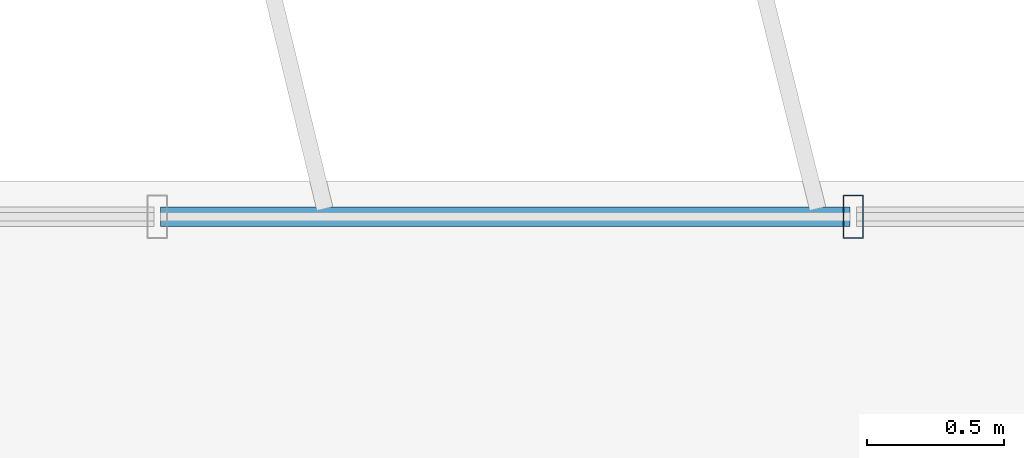
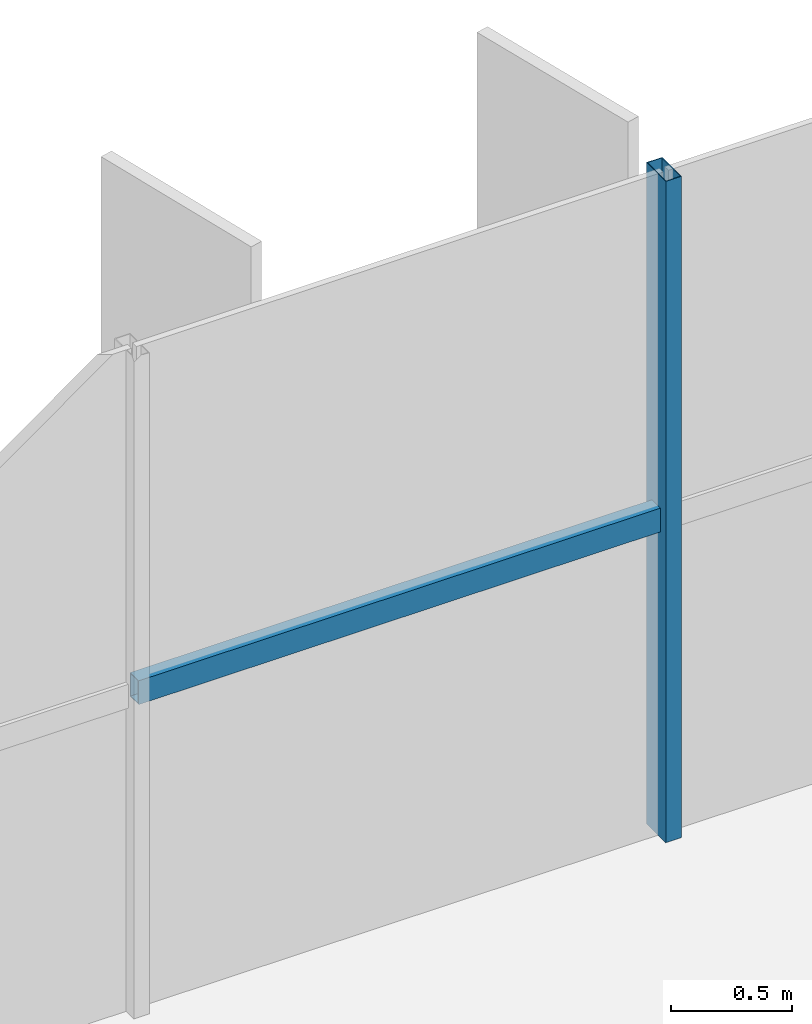
# One storey, part 8 of 22: 2 members, 1 element without a shape of its own.
"""IFC4 building model written with IfcOpenShell, lengths in metres."""

import ifcopenshell
import ifcopenshell.guid

model = None  # the IFC model being written
_history = None  # IfcOwnerHistory: only IFC2X3 demands one
_inside = {}  # id of a spatial element -> (the spatial element, [elements in it])
_under = {}  # id of a project, library or spatial element -> (it, [spatial elements below it])
_declared = {}  # id of a project -> (the project, [libraries it declares])
_typed = {}  # id of a type object -> (the type object, [elements of that type])
_made_of = {}  # id of a material, layer set ... -> (it, [elements and type objects made of it])


def new_model(schema):
    """Start an empty IFC model of exactly this schema.

    Asked for "IFC4X3", IfcOpenShell would pick the latest addendum, in which some entities
    have other attributes; the version numbers below select the first issue.
    IFC2X3 requires an IfcOwnerHistory on every rooted entity: one is made here for all.
    """
    global model, _history
    if schema == "IFC4X3":
        model = ifcopenshell.file(schema_version=(4, 3, 0, 0))
    else:
        model = ifcopenshell.file(schema=schema)
    _inside.clear()
    _under.clear()
    _declared.clear()
    _typed.clear()
    _made_of.clear()
    _history = None
    if model.schema == "IFC2X3":
        org = make("IfcOrganization", Name="unknown")
        user = make(
            "IfcPersonAndOrganization",
            ThePerson=make("IfcPerson", FamilyName="unknown"),
            TheOrganization=org,
        )
        app = make(
            "IfcApplication",
            ApplicationDeveloper=org,
            Version="unknown",
            ApplicationFullName="unknown",
            ApplicationIdentifier="unknown",
        )
        _history = make(
            "IfcOwnerHistory",
            OwningUser=user,
            OwningApplication=app,
            ChangeAction="ADDED",
            CreationDate=0,
        )
    return model


def make(cls, **values):
    """One entity of the class cls with the attributes given. An attribute that is None is left unset."""
    return model.create_entity(
        cls, **{name: value for name, value in values.items() if value is not None}
    )


def rooted(cls, **values):
    """An entity with a GlobalId (a new one), such as an element, a storey or a relation."""
    return make(cls, GlobalId=ifcopenshell.guid.new(), OwnerHistory=_history, **values)


def si_unit(unit_type, name, prefix=None):
    """IfcSIUnit, for example si_unit("LENGTHUNIT", "METRE", prefix="MILLI")."""
    return make("IfcSIUnit", UnitType=unit_type, Prefix=prefix, Name=name)


def assignment(units):
    """IfcUnitAssignment: the units of a project."""
    return None if units is None else make("IfcUnitAssignment", Units=units)


def point(xyz):
    """IfcCartesianPoint."""
    return None if xyz is None else make("IfcCartesianPoint", Coordinates=xyz)


def direction(xyz):
    """IfcDirection."""
    return None if xyz is None else make("IfcDirection", DirectionRatios=xyz)


def frame(location, z_axis=None, x_axis=None):
    """IfcAxis2Placement3D, a coordinate frame: its origin and axes. An axis left out is left unset."""
    return make(
        "IfcAxis2Placement3D",
        Location=point(location),
        Axis=direction(z_axis),
        RefDirection=direction(x_axis),
    )


def frame_2d(location, x_axis=None):
    """IfcAxis2Placement2D, a coordinate frame in the plane: its origin and x axis."""
    return make(
        "IfcAxis2Placement2D", Location=point(location), RefDirection=direction(x_axis)
    )


def origin():
    """The frame at (0, 0, 0) with its axes left unset."""
    return frame((0.0, 0.0, 0.0))


def origin_2d():
    """The frame at (0, 0) in the plane with its x axis left unset."""
    return frame_2d((0.0, 0.0))


def place(relative_to, where):
    """IfcLocalPlacement: puts the frame where relative to a parent placement (None: the world)."""
    return make(
        "IfcLocalPlacement", PlacementRelTo=relative_to, RelativePlacement=where
    )


def context(
    kind, dimensions, precision=None, world=None, true_north=None, identifier=None
):
    """IfcGeometricRepresentationContext, for example the 3D "Model" context."""
    return make(
        "IfcGeometricRepresentationContext",
        ContextIdentifier=identifier,
        ContextType=kind,
        CoordinateSpaceDimension=dimensions,
        Precision=precision,
        WorldCoordinateSystem=world,
        TrueNorth=true_north,
    )


def subcontext(parent, identifier, kind, view, scale=None):
    """IfcGeometricRepresentationSubContext, for example "Body" below "Model"."""
    return make(
        "IfcGeometricRepresentationSubContext",
        ContextIdentifier=identifier,
        ContextType=kind,
        ParentContext=parent,
        TargetScale=scale,
        TargetView=view,
    )


def project(units=None, contexts=None):
    """IfcProject with its units and contexts."""
    return rooted(
        "IfcProject",
        Name="project",
        RepresentationContexts=contexts,
        UnitsInContext=assignment(units),
    )


def spatial(cls, under=None, at=None, **own):
    """A site, building, storey or space (cls), placed at a placement, below another one or the project."""
    s = rooted(cls, ObjectPlacement=at, **own)
    if under is not None:
        _under.setdefault(under.id(), (under, []))[1].append(s)
    return s


def profile(cls, at=None, kind="AREA", **sizes):
    """A parametric profile (cls). Its sizes go by their IFC names, for example OverallWidth=200.0."""
    return make(cls, ProfileType=kind, Position=at, **sizes)


def hollow_rectangle(**sizes):
    """IfcRectangleHollowProfileDef."""
    return profile("IfcRectangleHollowProfileDef", **sizes)


def extrude(swept, where, along, depth):
    """IfcExtrudedAreaSolid: the profile swept, set in the frame where, extruded along a direction by depth."""
    return make(
        "IfcExtrudedAreaSolid",
        SweptArea=swept,
        Position=where,
        ExtrudedDirection=direction(along),
        Depth=depth,
    )


def shape(context_of_items, identifier, shape_type, items):
    """IfcShapeRepresentation: the items that make up one representation, for example the "Body"."""
    return make(
        "IfcShapeRepresentation",
        ContextOfItems=context_of_items,
        RepresentationIdentifier=identifier,
        RepresentationType=shape_type,
        Items=items,
    )


def source(mapping_origin, context_of_items, identifier, shape_type, items):
    """IfcRepresentationMap: a shape defined once, which mapped items show again and again."""
    return make(
        "IfcRepresentationMap",
        MappingOrigin=mapping_origin,
        MappedRepresentation=shape(context_of_items, identifier, shape_type, items),
    )


def transform(
    local_origin,
    x_axis=None,
    y_axis=None,
    z_axis=None,
    scale=None,
    scale2=None,
    scale3=None,
    uniform=True,
):
    """IfcCartesianTransformationOperator3D, or its non-uniform kind. x_axis, y_axis, z_axis: its Axis1, 2, 3."""
    if uniform:
        return make(
            "IfcCartesianTransformationOperator3D",
            Axis1=direction(x_axis),
            Axis2=direction(y_axis),
            LocalOrigin=point(local_origin),
            Scale=scale,
            Axis3=direction(z_axis),
        )
    return make(
        "IfcCartesianTransformationOperator3DnonUniform",
        Axis1=direction(x_axis),
        Axis2=direction(y_axis),
        LocalOrigin=point(local_origin),
        Scale=scale,
        Axis3=direction(z_axis),
        Scale2=scale2,
        Scale3=scale3,
    )


def mapped(mapping_source, mapping_target):
    """IfcMappedItem: shows the shape of a source again, moved by a transform."""
    return make(
        "IfcMappedItem", MappingSource=mapping_source, MappingTarget=mapping_target
    )


def material(Name=None, Category=None):
    """IfcMaterial."""
    return make("IfcMaterial", Name=Name, Category=Category)


def material_profile(
    of_material, cross_section, Name=None, Category=None, Priority=None
):
    """IfcMaterialProfile: a cross section and its material."""
    return make(
        "IfcMaterialProfile",
        Name=Name,
        Material=of_material,
        Profile=cross_section,
        Priority=Priority,
        Category=Category,
    )


def profile_set(profiles, Name=None, composite=None):
    """IfcMaterialProfileSet."""
    return make(
        "IfcMaterialProfileSet",
        Name=Name,
        MaterialProfiles=profiles,
        CompositeProfile=composite,
    )


def made_of(thing, what):
    """Note that an element or type object is made of a material, layer set ...; save() writes the relation."""
    if what is not None:
        _made_of.setdefault(what.id(), (what, []))[1].append(thing)
    return thing


def type_object(cls, material=None, **own):
    """A type object (cls), such as IfcWallType, which elements share."""
    return made_of(rooted(cls, **own), material)


def element(
    cls,
    number,
    at=None,
    inside=None,
    cuts=None,
    type_object=None,
    material=None,
    context=None,
    identifier="Body",
    shape_type=None,
    held_by="IfcProductDefinitionShape",
    body=None,
    shapes=None,
    **own,
):
    """One element of the class cls, such as IfcWall. Its Tag is "e" and its number.

    at: its placement. inside: the storey or other place that contains it. cuts: it is an
    opening in that element (IfcRelVoidsElement). A single representation is given by context,
    identifier, shape_type and body (its items); several are given by shapes. held_by: the class
    of the entity that holds the representations. save() writes the other relations.
    """
    e = rooted(cls, Tag="e%d" % number, ObjectPlacement=at, **own)
    if body is not None:
        shapes = [shape(context, identifier, shape_type, body)]
    if shapes is not None:
        e.Representation = make(held_by, Representations=shapes)
    if inside is not None:
        _inside.setdefault(inside.id(), (inside, []))[1].append(e)
    if cuts is not None:
        rooted(
            "IfcRelVoidsElement", RelatingBuildingElement=cuts, RelatedOpeningElement=e
        )
    if type_object is not None:
        _typed.setdefault(type_object.id(), (type_object, []))[1].append(e)
    return made_of(e, material)


def aggregate(whole, parts):
    """IfcRelAggregates: a whole, such as a stair, and the parts it consists of."""
    return rooted("IfcRelAggregates", RelatingObject=whole, RelatedObjects=parts)


def save(model, path):
    """Write the relations noted so far, then the file.

    IfcRelAggregates (storeys below a building ...), IfcRelContainedInSpatialStructure (elements
    in a storey), IfcRelDefinesByType, IfcRelAssociatesMaterial and IfcRelDeclares: one each for
    every whole, place, type object, material and project.
    """
    for whole, parts in _under.values():
        aggregate(whole, parts)
    for where, things in _inside.values():
        rooted(
            "IfcRelContainedInSpatialStructure",
            RelatedElements=things,
            RelatingStructure=where,
        )
    for kind, things in _typed.values():
        rooted("IfcRelDefinesByType", RelatedObjects=things, RelatingType=kind)
    for what, things in _made_of.values():
        rooted("IfcRelAssociatesMaterial", RelatedObjects=things, RelatingMaterial=what)
    for by, libraries in _declared.values():
        rooted("IfcRelDeclares", RelatingContext=by, RelatedDefinitions=libraries)
    model.write(path)


model = new_model("IFC4")

# Units and contexts
model_context = context("Model", 3, precision=1e-05, world=origin(), true_north=direction((0.0, 1.0)))
body_context = subcontext(model_context, "Body", "Model", "MODEL_VIEW")
ifc_project = project(units=[si_unit("LENGTHUNIT", "METRE"), si_unit("AREAUNIT", "SQUARE_METRE"), si_unit("VOLUMEUNIT", "CUBIC_METRE"), si_unit("PLANEANGLEUNIT", "RADIAN"), si_unit("MASSUNIT", "GRAM", prefix="KILO")], contexts=[model_context])

# Site, building, storey
site_placement = place(None, origin())
site = spatial("IfcSite", under=ifc_project, at=site_placement, CompositionType="ELEMENT")
building_placement = place(site_placement, origin())
building = spatial("IfcBuilding", under=site, at=building_placement, Name="Trelvane Seafront Commons", CompositionType="ELEMENT")
storey_placement = place(building_placement, frame((0.0, 0.0, 52.300048828125)))
storey = spatial("IfcBuildingStorey", under=building, at=storey_placement, Name="L13", CompositionType="ELEMENT", Elevation=52.300048828125)

# Curtain wall, members
ifc_material = material(Name="Anodised pale-silver aluminium", Category="aluminium")
curtain_wall_type = type_object("IfcCurtainWallType", Name="ARCH-CW2-LOWTOWER", PredefinedType="NOTDEFINED", material=ifc_material)
curtain_wall_placement = place(storey_placement, origin())
curtain_wall = element("IfcCurtainWall", 1, at=curtain_wall_placement, inside=storey, type_object=curtain_wall_type, Name="CW-L13-0037", PredefinedType="NOTDEFINED")
ifc_material_profile_1 = material_profile(ifc_material, hollow_rectangle(XDim=0.070068359375, YDim=0.1201171875, WallThickness=0.00390625, at=origin_2d()), Name="TRAN-70x120x4")
ifc_profile_set_1 = profile_set([ifc_material_profile_1], Name="Anodised pale-silver aluminium")
member_type_1 = type_object("IfcMemberType", Name="ARCH-CW-TRAN-120", PredefinedType="USERDEFINED", material=ifc_profile_set_1)
shared_shape_1 = source(origin(), body_context, "Body", "SweptSolid", [
    extrude(hollow_rectangle(XDim=0.070068359375, YDim=0.1201171875, WallThickness=0.00390625, at=origin_2d()), origin(), (0.0, 0.0, 1.0), 2.517333984375),
])
member_1_placement = place(storey_placement, frame((33.400146484375, 48.3701171875, 1.60302734375), z_axis=(1.0, 0.0, 0.0), x_axis=(0.0, 1.0, 0.0)))
member_1 = element("IfcMember", 2, at=member_1_placement, type_object=member_type_1, Name="CW-L13-0037-T07", ObjectType="TRANSOM", PredefinedType="USERDEFINED", context=body_context, shape_type="MappedRepresentation", body=[
    mapped(shared_shape_1, transform((0.0, 0.0, 0.0), x_axis=(1.0, 0.0, 0.0), y_axis=(0.0, 1.0, 0.0), z_axis=(0.0, 0.0, 1.0), scale=1.0)),
])
ifc_material_profile_2 = material_profile(ifc_material, hollow_rectangle(XDim=0.074951171875, YDim=0.159912109375, WallThickness=0.00390625, at=origin_2d()), Name="MULL-75x160x4")
ifc_profile_set_2 = profile_set([ifc_material_profile_2], Name="Anodised pale-silver aluminium")
member_type_2 = type_object("IfcMemberType", Name="ARCH-CW-MULL-160", PredefinedType="MULLION", material=ifc_profile_set_2)
shared_shape_2 = source(origin(), body_context, "Body", "SweptSolid", [
    extrude(hollow_rectangle(XDim=0.074951171875, YDim=0.159912109375, WallThickness=0.00390625, at=origin_2d()), origin(), (0.0, 0.0, 1.0), 3.33984375),
])
member_2_placement = place(storey_placement, frame((35.929443359375, 48.3701171875, 0.0), z_axis=(0.0, 0.0, 1.0), x_axis=(1.0, 0.0, 0.0)))
member_2 = element("IfcMember", 3, at=member_2_placement, type_object=member_type_2, Name="CW-L13-0037-M08", PredefinedType="MULLION", context=body_context, shape_type="MappedRepresentation", body=[
    mapped(shared_shape_2, transform((0.0, 0.0, 0.0), x_axis=(1.0, 0.0, 0.0), y_axis=(0.0, 1.0, 0.0), z_axis=(0.0, 0.0, 1.0), scale=1.0)),
])
aggregate(curtain_wall, [member_2, member_1])

save(model, "model.ifc")
